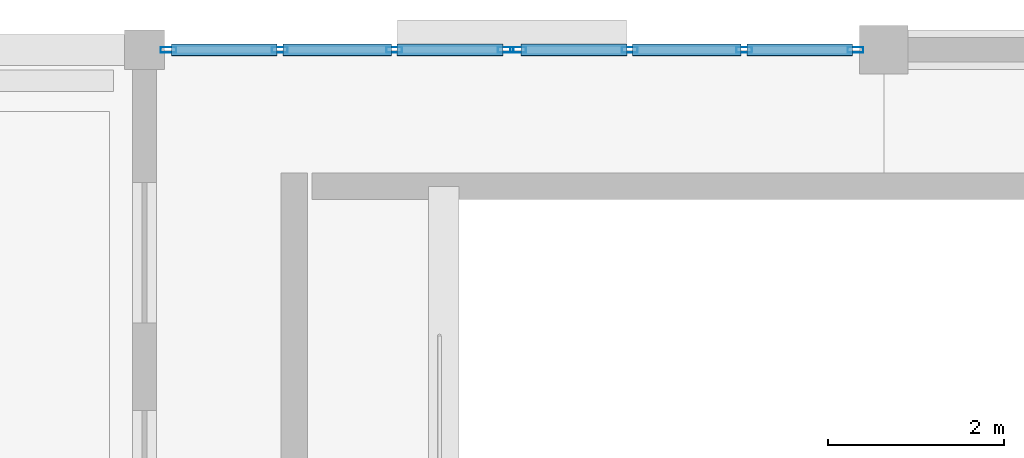
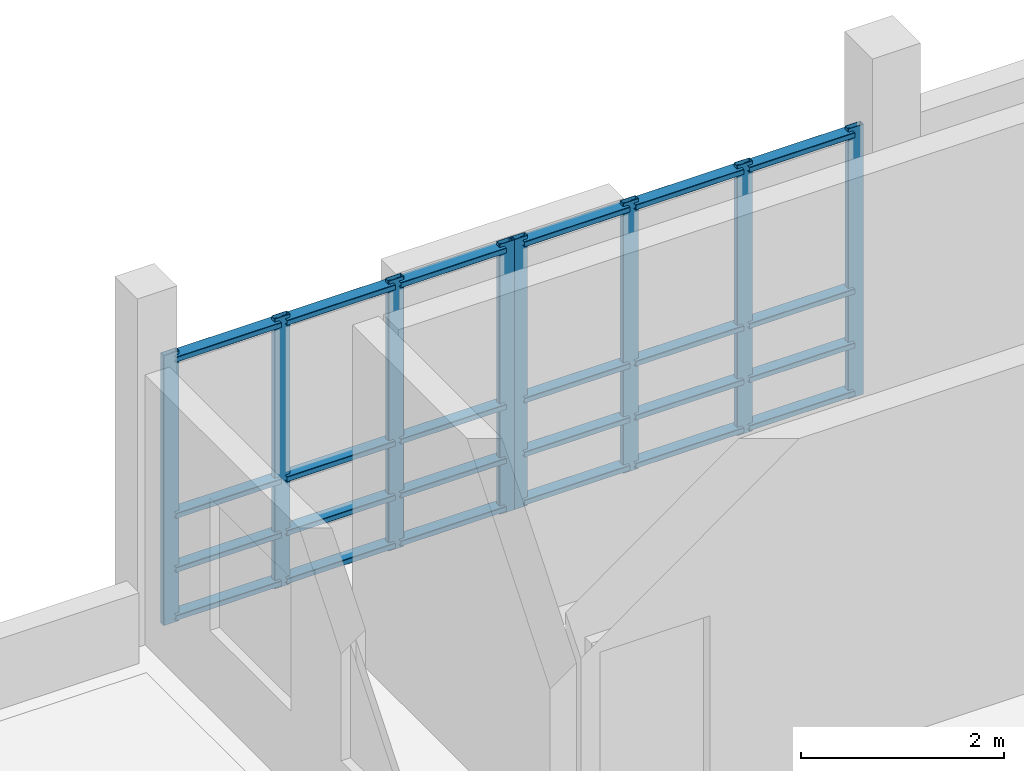
# One storey, part 2 of 11: 32 members, 2 elements without a shape of their own.
"""IFC4 building model written with IfcOpenShell, lengths in metres."""

from ifc_helpers import new_model, si_unit, direction, frame, origin, origin_2d, place, context, subcontext, project, spatial, hollow_rectangle, extrude, material, layer, layer_set, material_profile, profile_set, type_object, element, aggregate, save


model = new_model("IFC4")

# Units and contexts
model_context = context("Model", 3, precision=1e-05, world=origin(), true_north=direction((0.0, 1.0)))
body_context = subcontext(model_context, "Body", "Model", "MODEL_VIEW")
ifc_project = project(units=[si_unit("LENGTHUNIT", "METRE"), si_unit("AREAUNIT", "SQUARE_METRE"), si_unit("VOLUMEUNIT", "CUBIC_METRE"), si_unit("PLANEANGLEUNIT", "RADIAN"), si_unit("MASSUNIT", "GRAM", prefix="KILO")], contexts=[model_context])

# Site, building, storey
site_placement = place(None, origin())
site = spatial("IfcSite", under=ifc_project, at=site_placement, CompositionType="ELEMENT")
building_placement = place(site_placement, origin())
building = spatial("IfcBuilding", under=site, at=building_placement, Name="Kisaragi Civic Commons", CompositionType="ELEMENT")
storey_placement = place(building_placement, frame((0.0, 0.0, 17.39990234375)))
storey = spatial("IfcBuildingStorey", under=building, at=storey_placement, Name="L04", CompositionType="ELEMENT", Elevation=17.39990234375)

# Curtain wall, members
ifc_material = material(Name="Thermally broken anodized aluminium and low-E double glazing", Category="aluminium")
ifc_layer = layer(ifc_material, 0.179931640625, Name="Thermally broken anodized aluminium and low-E double glazing", Category="aluminium")
ifc_layer_set = layer_set([ifc_layer], Name="Thermally broken anodized aluminium and low-E double glazing")
curtain_wall_type = type_object("IfcCurtainWallType", Name="CW-01", PredefinedType="NOTDEFINED", material=ifc_layer_set)
curtain_wall_1_placement = place(storey_placement, origin())
curtain_wall_1 = element("IfcCurtainWall", 1, at=curtain_wall_1_placement, inside=storey, type_object=curtain_wall_type, Name="L04 curtain wall CW-01 CW-V4-L04-111", PredefinedType="NOTDEFINED")
ifc_material_profile_1 = material_profile(ifc_material, hollow_rectangle(XDim=0.06494140625, YDim=0.179931640625, WallThickness=0.00439453125, InnerFilletRadius=0.00439453125, OuterFilletRadius=0.009033203125, at=origin_2d()), Name="CWM-65x180x4.5", Category="aluminium")
ifc_profile_set_1 = profile_set([ifc_material_profile_1], Name="Thermally broken anodized aluminium and low-E double glazing")
member_type_1 = type_object("IfcMemberType", Name="CWM-02", PredefinedType="MULLION", material=ifc_profile_set_1)
member_1_placement = place(storey_placement, frame((97.472412109375, 118.800048828125, 0.0), z_axis=(0.0, 0.0, 1.0), x_axis=(0.0, 1.0, 0.0)))
member_1 = element("IfcMember", 2, at=member_1_placement, type_object=member_type_1, Name="CW-01 mullion 1", PredefinedType="MULLION", context=body_context, shape_type="SweptSolid", body=[
    extrude(hollow_rectangle(XDim=0.06494140625, YDim=0.179931640625, WallThickness=0.00439453125, InnerFilletRadius=0.00439453125, OuterFilletRadius=0.009033203125, at=origin_2d()), origin(), (0.0, 0.0, 1.0), 3.255126953125),
])
member_2_placement = place(storey_placement, frame((98.73828125, 118.800048828125, 0.0), z_axis=(0.0, 0.0, 1.0), x_axis=(0.0, 1.0, 0.0)))
member_2 = element("IfcMember", 3, at=member_2_placement, type_object=member_type_1, Name="CW-01 mullion 2", PredefinedType="MULLION", context=body_context, shape_type="SweptSolid", body=[
    extrude(hollow_rectangle(XDim=0.06494140625, YDim=0.179931640625, WallThickness=0.00439453125, InnerFilletRadius=0.00439453125, OuterFilletRadius=0.009033203125, at=origin_2d()), origin(), (0.0, 0.0, 1.0), 3.255126953125),
])
member_3_placement = place(storey_placement, frame((100.03662109375, 118.800048828125, 0.0), z_axis=(0.0, 0.0, 1.0), x_axis=(0.0, 1.0, 0.0)))
member_3 = element("IfcMember", 4, at=member_3_placement, type_object=member_type_1, Name="CW-01 mullion 3", PredefinedType="MULLION", context=body_context, shape_type="SweptSolid", body=[
    extrude(hollow_rectangle(XDim=0.06494140625, YDim=0.179931640625, WallThickness=0.00439453125, InnerFilletRadius=0.00439453125, OuterFilletRadius=0.009033203125, at=origin_2d()), origin(), (0.0, 0.0, 1.0), 3.255126953125),
])
member_4_placement = place(storey_placement, frame((101.302490234375, 118.800048828125, 0.0), z_axis=(0.0, 0.0, 1.0), x_axis=(0.0, 1.0, 0.0)))
member_4 = element("IfcMember", 5, at=member_4_placement, type_object=member_type_1, Name="CW-01 mullion 4", PredefinedType="MULLION", context=body_context, shape_type="SweptSolid", body=[
    extrude(hollow_rectangle(XDim=0.06494140625, YDim=0.179931640625, WallThickness=0.00439453125, InnerFilletRadius=0.00439453125, OuterFilletRadius=0.009033203125, at=origin_2d()), origin(), (0.0, 0.0, 1.0), 3.255126953125),
])

curtain_wall_2_placement = place(storey_placement, origin())
curtain_wall_2 = element("IfcCurtainWall", 6, at=curtain_wall_2_placement, inside=storey, type_object=curtain_wall_type, Name="L04 curtain wall CW-01 CW-V4-L04-112", PredefinedType="NOTDEFINED")
member_5_placement = place(storey_placement, frame((101.447509765625, 118.800048828125, 0.0), z_axis=(0.0, 0.0, 1.0), x_axis=(0.0, 1.0, 0.0)))
member_5 = element("IfcMember", 7, at=member_5_placement, type_object=member_type_1, Name="CW-01 mullion 1", PredefinedType="MULLION", context=body_context, shape_type="SweptSolid", body=[
    extrude(hollow_rectangle(XDim=0.06494140625, YDim=0.179931640625, WallThickness=0.00439453125, InnerFilletRadius=0.00439453125, OuterFilletRadius=0.009033203125, at=origin_2d()), origin(), (0.0, 0.0, 1.0), 3.255126953125),
])
member_6_placement = place(storey_placement, frame((102.71337890625, 118.800048828125, 0.0), z_axis=(0.0, 0.0, 1.0), x_axis=(0.0, 1.0, 0.0)))
member_6 = element("IfcMember", 8, at=member_6_placement, type_object=member_type_1, Name="CW-01 mullion 2", PredefinedType="MULLION", context=body_context, shape_type="SweptSolid", body=[
    extrude(hollow_rectangle(XDim=0.06494140625, YDim=0.179931640625, WallThickness=0.00439453125, InnerFilletRadius=0.00439453125, OuterFilletRadius=0.009033203125, at=origin_2d()), origin(), (0.0, 0.0, 1.0), 3.255126953125),
])
member_7_placement = place(storey_placement, frame((104.01171875, 118.800048828125, 0.0), z_axis=(0.0, 0.0, 1.0), x_axis=(0.0, 1.0, 0.0)))
member_7 = element("IfcMember", 9, at=member_7_placement, type_object=member_type_1, Name="CW-01 mullion 3", PredefinedType="MULLION", context=body_context, shape_type="SweptSolid", body=[
    extrude(hollow_rectangle(XDim=0.06494140625, YDim=0.179931640625, WallThickness=0.00439453125, InnerFilletRadius=0.00439453125, OuterFilletRadius=0.009033203125, at=origin_2d()), origin(), (0.0, 0.0, 1.0), 3.255126953125),
])
member_8_placement = place(storey_placement, frame((105.277587890625, 118.800048828125, 0.0), z_axis=(0.0, 0.0, 1.0), x_axis=(0.0, 1.0, 0.0)))
member_8 = element("IfcMember", 10, at=member_8_placement, type_object=member_type_1, Name="CW-01 mullion 4", PredefinedType="MULLION", context=body_context, shape_type="SweptSolid", body=[
    extrude(hollow_rectangle(XDim=0.06494140625, YDim=0.179931640625, WallThickness=0.00439453125, InnerFilletRadius=0.00439453125, OuterFilletRadius=0.009033203125, at=origin_2d()), origin(), (0.0, 0.0, 1.0), 3.255126953125),
])

# Member
ifc_material_profile_2 = material_profile(ifc_material, hollow_rectangle(XDim=0.139892578125, YDim=0.06494140625, WallThickness=0.00439453125, InnerFilletRadius=0.00439453125, OuterFilletRadius=0.009033203125, at=origin_2d()), Name="CWT-65x140x4.5", Category="aluminium")
ifc_profile_set_2 = profile_set([ifc_material_profile_2], Name="Thermally broken anodized aluminium and low-E double glazing")
member_type_2 = type_object("IfcMemberType", Name="CWT-02", PredefinedType="USERDEFINED", material=ifc_profile_set_2)
member_9_placement = place(storey_placement, frame((97.5048828125, 118.800048828125, 0.070068359375), z_axis=(1.0, 0.0, 0.0), x_axis=(0.0, 1.0, 0.0)))
member_9 = element("IfcMember", 11, at=member_9_placement, type_object=member_type_2, Name="CW-01 transom 1.1", ObjectType="TRANSOM", PredefinedType="USERDEFINED", context=body_context, shape_type="SweptSolid", body=[
    extrude(hollow_rectangle(XDim=0.139892578125, YDim=0.06494140625, WallThickness=0.00439453125, InnerFilletRadius=0.00439453125, OuterFilletRadius=0.009033203125, at=origin_2d()), origin(), (0.0, 0.0, 1.0), 1.200927734375),
])

member_10_placement = place(storey_placement, frame((97.5048828125, 118.800048828125, 0.650146484375), z_axis=(1.0, 0.0, 0.0), x_axis=(0.0, 1.0, 0.0)))
member_10 = element("IfcMember", 12, at=member_10_placement, type_object=member_type_2, Name="CW-01 transom 1.2", ObjectType="TRANSOM", PredefinedType="USERDEFINED", context=body_context, shape_type="SweptSolid", body=[
    extrude(hollow_rectangle(XDim=0.139892578125, YDim=0.06494140625, WallThickness=0.00439453125, InnerFilletRadius=0.00439453125, OuterFilletRadius=0.009033203125, at=origin_2d()), origin(), (0.0, 0.0, 1.0), 1.200927734375),
])

member_11_placement = place(storey_placement, frame((97.5048828125, 118.800048828125, 1.300048828125), z_axis=(1.0, 0.0, 0.0), x_axis=(0.0, 1.0, 0.0)))
member_11 = element("IfcMember", 13, at=member_11_placement, type_object=member_type_2, Name="CW-01 transom 1.3", ObjectType="TRANSOM", PredefinedType="USERDEFINED", context=body_context, shape_type="SweptSolid", body=[
    extrude(hollow_rectangle(XDim=0.139892578125, YDim=0.06494140625, WallThickness=0.00439453125, InnerFilletRadius=0.00439453125, OuterFilletRadius=0.009033203125, at=origin_2d()), origin(), (0.0, 0.0, 1.0), 1.200927734375),
])

member_12_placement = place(storey_placement, frame((97.5048828125, 118.800048828125, 3.18505859375), z_axis=(1.0, 0.0, 0.0), x_axis=(0.0, 1.0, 0.0)))
member_12 = element("IfcMember", 14, at=member_12_placement, type_object=member_type_2, Name="CW-01 transom 1.4", ObjectType="TRANSOM", PredefinedType="USERDEFINED", context=body_context, shape_type="SweptSolid", body=[
    extrude(hollow_rectangle(XDim=0.139892578125, YDim=0.06494140625, WallThickness=0.00439453125, InnerFilletRadius=0.00439453125, OuterFilletRadius=0.009033203125, at=origin_2d()), origin(), (0.0, 0.0, 1.0), 1.200927734375),
])

member_13_placement = place(storey_placement, frame((98.770751953125, 118.800048828125, 0.070068359375), z_axis=(1.0, 0.0, 0.0), x_axis=(0.0, 1.0, 0.0)))
member_13 = element("IfcMember", 15, at=member_13_placement, type_object=member_type_2, Name="CW-01 transom 2.1", ObjectType="TRANSOM", PredefinedType="USERDEFINED", context=body_context, shape_type="SweptSolid", body=[
    extrude(hollow_rectangle(XDim=0.139892578125, YDim=0.06494140625, WallThickness=0.00439453125, InnerFilletRadius=0.00439453125, OuterFilletRadius=0.009033203125, at=origin_2d()), origin(), (0.0, 0.0, 1.0), 1.2333984375),
])

member_14_placement = place(storey_placement, frame((98.770751953125, 118.800048828125, 0.650146484375), z_axis=(1.0, 0.0, 0.0), x_axis=(0.0, 1.0, 0.0)))
member_14 = element("IfcMember", 16, at=member_14_placement, type_object=member_type_2, Name="CW-01 transom 2.2", ObjectType="TRANSOM", PredefinedType="USERDEFINED", context=body_context, shape_type="SweptSolid", body=[
    extrude(hollow_rectangle(XDim=0.139892578125, YDim=0.06494140625, WallThickness=0.00439453125, InnerFilletRadius=0.00439453125, OuterFilletRadius=0.009033203125, at=origin_2d()), origin(), (0.0, 0.0, 1.0), 1.2333984375),
])

member_15_placement = place(storey_placement, frame((98.770751953125, 118.800048828125, 1.300048828125), z_axis=(1.0, 0.0, 0.0), x_axis=(0.0, 1.0, 0.0)))
member_15 = element("IfcMember", 17, at=member_15_placement, type_object=member_type_2, Name="CW-01 transom 2.3", ObjectType="TRANSOM", PredefinedType="USERDEFINED", context=body_context, shape_type="SweptSolid", body=[
    extrude(hollow_rectangle(XDim=0.139892578125, YDim=0.06494140625, WallThickness=0.00439453125, InnerFilletRadius=0.00439453125, OuterFilletRadius=0.009033203125, at=origin_2d()), origin(), (0.0, 0.0, 1.0), 1.2333984375),
])

member_16_placement = place(storey_placement, frame((98.770751953125, 118.800048828125, 3.18505859375), z_axis=(1.0, 0.0, 0.0), x_axis=(0.0, 1.0, 0.0)))
member_16 = element("IfcMember", 18, at=member_16_placement, type_object=member_type_2, Name="CW-01 transom 2.4", ObjectType="TRANSOM", PredefinedType="USERDEFINED", context=body_context, shape_type="SweptSolid", body=[
    extrude(hollow_rectangle(XDim=0.139892578125, YDim=0.06494140625, WallThickness=0.00439453125, InnerFilletRadius=0.00439453125, OuterFilletRadius=0.009033203125, at=origin_2d()), origin(), (0.0, 0.0, 1.0), 1.2333984375),
])

member_17_placement = place(storey_placement, frame((100.069091796875, 118.800048828125, 0.070068359375), z_axis=(1.0, 0.0, 0.0), x_axis=(0.0, 1.0, 0.0)))
member_17 = element("IfcMember", 19, at=member_17_placement, type_object=member_type_2, Name="CW-01 transom 3.1", ObjectType="TRANSOM", PredefinedType="USERDEFINED", context=body_context, shape_type="SweptSolid", body=[
    extrude(hollow_rectangle(XDim=0.139892578125, YDim=0.06494140625, WallThickness=0.00439453125, InnerFilletRadius=0.00439453125, OuterFilletRadius=0.009033203125, at=origin_2d()), origin(), (0.0, 0.0, 1.0), 1.200927734375),
])

member_18_placement = place(storey_placement, frame((100.069091796875, 118.800048828125, 0.650146484375), z_axis=(1.0, 0.0, 0.0), x_axis=(0.0, 1.0, 0.0)))
member_18 = element("IfcMember", 20, at=member_18_placement, type_object=member_type_2, Name="CW-01 transom 3.2", ObjectType="TRANSOM", PredefinedType="USERDEFINED", context=body_context, shape_type="SweptSolid", body=[
    extrude(hollow_rectangle(XDim=0.139892578125, YDim=0.06494140625, WallThickness=0.00439453125, InnerFilletRadius=0.00439453125, OuterFilletRadius=0.009033203125, at=origin_2d()), origin(), (0.0, 0.0, 1.0), 1.200927734375),
])

member_19_placement = place(storey_placement, frame((100.069091796875, 118.800048828125, 1.300048828125), z_axis=(1.0, 0.0, 0.0), x_axis=(0.0, 1.0, 0.0)))
member_19 = element("IfcMember", 21, at=member_19_placement, type_object=member_type_2, Name="CW-01 transom 3.3", ObjectType="TRANSOM", PredefinedType="USERDEFINED", context=body_context, shape_type="SweptSolid", body=[
    extrude(hollow_rectangle(XDim=0.139892578125, YDim=0.06494140625, WallThickness=0.00439453125, InnerFilletRadius=0.00439453125, OuterFilletRadius=0.009033203125, at=origin_2d()), origin(), (0.0, 0.0, 1.0), 1.200927734375),
])

member_20_placement = place(storey_placement, frame((100.069091796875, 118.800048828125, 3.18505859375), z_axis=(1.0, 0.0, 0.0), x_axis=(0.0, 1.0, 0.0)))
member_20 = element("IfcMember", 22, at=member_20_placement, type_object=member_type_2, Name="CW-01 transom 3.4", ObjectType="TRANSOM", PredefinedType="USERDEFINED", context=body_context, shape_type="SweptSolid", body=[
    extrude(hollow_rectangle(XDim=0.139892578125, YDim=0.06494140625, WallThickness=0.00439453125, InnerFilletRadius=0.00439453125, OuterFilletRadius=0.009033203125, at=origin_2d()), origin(), (0.0, 0.0, 1.0), 1.200927734375),
])

aggregate(curtain_wall_1, [member_1, member_2, member_3, member_4, member_9, member_10, member_11, member_12, member_13, member_14, member_15, member_16, member_17, member_18, member_19, member_20])

member_21_placement = place(storey_placement, frame((101.47998046875, 118.800048828125, 0.070068359375), z_axis=(1.0, 0.0, 0.0), x_axis=(0.0, 1.0, 0.0)))
member_21 = element("IfcMember", 23, at=member_21_placement, type_object=member_type_2, Name="CW-01 transom 1.1", ObjectType="TRANSOM", PredefinedType="USERDEFINED", context=body_context, shape_type="SweptSolid", body=[
    extrude(hollow_rectangle(XDim=0.139892578125, YDim=0.06494140625, WallThickness=0.00439453125, InnerFilletRadius=0.00439453125, OuterFilletRadius=0.009033203125, at=origin_2d()), origin(), (0.0, 0.0, 1.0), 1.200927734375),
])

member_22_placement = place(storey_placement, frame((101.47998046875, 118.800048828125, 0.650146484375), z_axis=(1.0, 0.0, 0.0), x_axis=(0.0, 1.0, 0.0)))
member_22 = element("IfcMember", 24, at=member_22_placement, type_object=member_type_2, Name="CW-01 transom 1.2", ObjectType="TRANSOM", PredefinedType="USERDEFINED", context=body_context, shape_type="SweptSolid", body=[
    extrude(hollow_rectangle(XDim=0.139892578125, YDim=0.06494140625, WallThickness=0.00439453125, InnerFilletRadius=0.00439453125, OuterFilletRadius=0.009033203125, at=origin_2d()), origin(), (0.0, 0.0, 1.0), 1.200927734375),
])

member_23_placement = place(storey_placement, frame((101.47998046875, 118.800048828125, 1.300048828125), z_axis=(1.0, 0.0, 0.0), x_axis=(0.0, 1.0, 0.0)))
member_23 = element("IfcMember", 25, at=member_23_placement, type_object=member_type_2, Name="CW-01 transom 1.3", ObjectType="TRANSOM", PredefinedType="USERDEFINED", context=body_context, shape_type="SweptSolid", body=[
    extrude(hollow_rectangle(XDim=0.139892578125, YDim=0.06494140625, WallThickness=0.00439453125, InnerFilletRadius=0.00439453125, OuterFilletRadius=0.009033203125, at=origin_2d()), origin(), (0.0, 0.0, 1.0), 1.200927734375),
])

member_24_placement = place(storey_placement, frame((101.47998046875, 118.800048828125, 3.18505859375), z_axis=(1.0, 0.0, 0.0), x_axis=(0.0, 1.0, 0.0)))
member_24 = element("IfcMember", 26, at=member_24_placement, type_object=member_type_2, Name="CW-01 transom 1.4", ObjectType="TRANSOM", PredefinedType="USERDEFINED", context=body_context, shape_type="SweptSolid", body=[
    extrude(hollow_rectangle(XDim=0.139892578125, YDim=0.06494140625, WallThickness=0.00439453125, InnerFilletRadius=0.00439453125, OuterFilletRadius=0.009033203125, at=origin_2d()), origin(), (0.0, 0.0, 1.0), 1.200927734375),
])

member_25_placement = place(storey_placement, frame((102.745849609375, 118.800048828125, 0.070068359375), z_axis=(1.0, 0.0, 0.0), x_axis=(0.0, 1.0, 0.0)))
member_25 = element("IfcMember", 27, at=member_25_placement, type_object=member_type_2, Name="CW-01 transom 2.1", ObjectType="TRANSOM", PredefinedType="USERDEFINED", context=body_context, shape_type="SweptSolid", body=[
    extrude(hollow_rectangle(XDim=0.139892578125, YDim=0.06494140625, WallThickness=0.00439453125, InnerFilletRadius=0.00439453125, OuterFilletRadius=0.009033203125, at=origin_2d()), origin(), (0.0, 0.0, 1.0), 1.2333984375),
])

member_26_placement = place(storey_placement, frame((102.745849609375, 118.800048828125, 0.650146484375), z_axis=(1.0, 0.0, 0.0), x_axis=(0.0, 1.0, 0.0)))
member_26 = element("IfcMember", 28, at=member_26_placement, type_object=member_type_2, Name="CW-01 transom 2.2", ObjectType="TRANSOM", PredefinedType="USERDEFINED", context=body_context, shape_type="SweptSolid", body=[
    extrude(hollow_rectangle(XDim=0.139892578125, YDim=0.06494140625, WallThickness=0.00439453125, InnerFilletRadius=0.00439453125, OuterFilletRadius=0.009033203125, at=origin_2d()), origin(), (0.0, 0.0, 1.0), 1.2333984375),
])

member_27_placement = place(storey_placement, frame((102.745849609375, 118.800048828125, 1.300048828125), z_axis=(1.0, 0.0, 0.0), x_axis=(0.0, 1.0, 0.0)))
member_27 = element("IfcMember", 29, at=member_27_placement, type_object=member_type_2, Name="CW-01 transom 2.3", ObjectType="TRANSOM", PredefinedType="USERDEFINED", context=body_context, shape_type="SweptSolid", body=[
    extrude(hollow_rectangle(XDim=0.139892578125, YDim=0.06494140625, WallThickness=0.00439453125, InnerFilletRadius=0.00439453125, OuterFilletRadius=0.009033203125, at=origin_2d()), origin(), (0.0, 0.0, 1.0), 1.2333984375),
])

member_28_placement = place(storey_placement, frame((102.745849609375, 118.800048828125, 3.18505859375), z_axis=(1.0, 0.0, 0.0), x_axis=(0.0, 1.0, 0.0)))
member_28 = element("IfcMember", 30, at=member_28_placement, type_object=member_type_2, Name="CW-01 transom 2.4", ObjectType="TRANSOM", PredefinedType="USERDEFINED", context=body_context, shape_type="SweptSolid", body=[
    extrude(hollow_rectangle(XDim=0.139892578125, YDim=0.06494140625, WallThickness=0.00439453125, InnerFilletRadius=0.00439453125, OuterFilletRadius=0.009033203125, at=origin_2d()), origin(), (0.0, 0.0, 1.0), 1.2333984375),
])

member_29_placement = place(storey_placement, frame((104.044189453125, 118.800048828125, 0.070068359375), z_axis=(1.0, 0.0, 0.0), x_axis=(0.0, 1.0, 0.0)))
member_29 = element("IfcMember", 31, at=member_29_placement, type_object=member_type_2, Name="CW-01 transom 3.1", ObjectType="TRANSOM", PredefinedType="USERDEFINED", context=body_context, shape_type="SweptSolid", body=[
    extrude(hollow_rectangle(XDim=0.139892578125, YDim=0.06494140625, WallThickness=0.00439453125, InnerFilletRadius=0.00439453125, OuterFilletRadius=0.009033203125, at=origin_2d()), origin(), (0.0, 0.0, 1.0), 1.200927734375),
])

member_30_placement = place(storey_placement, frame((104.044189453125, 118.800048828125, 0.650146484375), z_axis=(1.0, 0.0, 0.0), x_axis=(0.0, 1.0, 0.0)))
member_30 = element("IfcMember", 32, at=member_30_placement, type_object=member_type_2, Name="CW-01 transom 3.2", ObjectType="TRANSOM", PredefinedType="USERDEFINED", context=body_context, shape_type="SweptSolid", body=[
    extrude(hollow_rectangle(XDim=0.139892578125, YDim=0.06494140625, WallThickness=0.00439453125, InnerFilletRadius=0.00439453125, OuterFilletRadius=0.009033203125, at=origin_2d()), origin(), (0.0, 0.0, 1.0), 1.200927734375),
])

member_31_placement = place(storey_placement, frame((104.044189453125, 118.800048828125, 1.300048828125), z_axis=(1.0, 0.0, 0.0), x_axis=(0.0, 1.0, 0.0)))
member_31 = element("IfcMember", 33, at=member_31_placement, type_object=member_type_2, Name="CW-01 transom 3.3", ObjectType="TRANSOM", PredefinedType="USERDEFINED", context=body_context, shape_type="SweptSolid", body=[
    extrude(hollow_rectangle(XDim=0.139892578125, YDim=0.06494140625, WallThickness=0.00439453125, InnerFilletRadius=0.00439453125, OuterFilletRadius=0.009033203125, at=origin_2d()), origin(), (0.0, 0.0, 1.0), 1.200927734375),
])

member_32_placement = place(storey_placement, frame((104.044189453125, 118.800048828125, 3.18505859375), z_axis=(1.0, 0.0, 0.0), x_axis=(0.0, 1.0, 0.0)))
member_32 = element("IfcMember", 34, at=member_32_placement, type_object=member_type_2, Name="CW-01 transom 3.4", ObjectType="TRANSOM", PredefinedType="USERDEFINED", context=body_context, shape_type="SweptSolid", body=[
    extrude(hollow_rectangle(XDim=0.139892578125, YDim=0.06494140625, WallThickness=0.00439453125, InnerFilletRadius=0.00439453125, OuterFilletRadius=0.009033203125, at=origin_2d()), origin(), (0.0, 0.0, 1.0), 1.200927734375),
])

aggregate(curtain_wall_2, [member_5, member_6, member_7, member_8, member_21, member_22, member_23, member_24, member_25, member_26, member_27, member_28, member_29, member_30, member_31, member_32])

save(model, "model.ifc")
